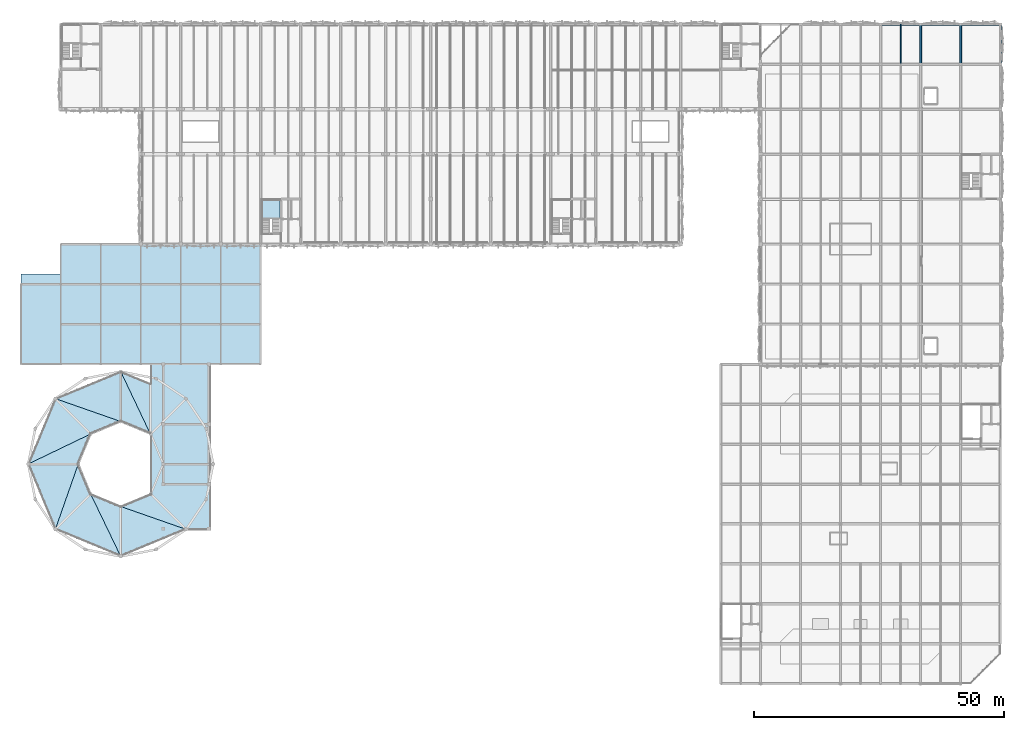
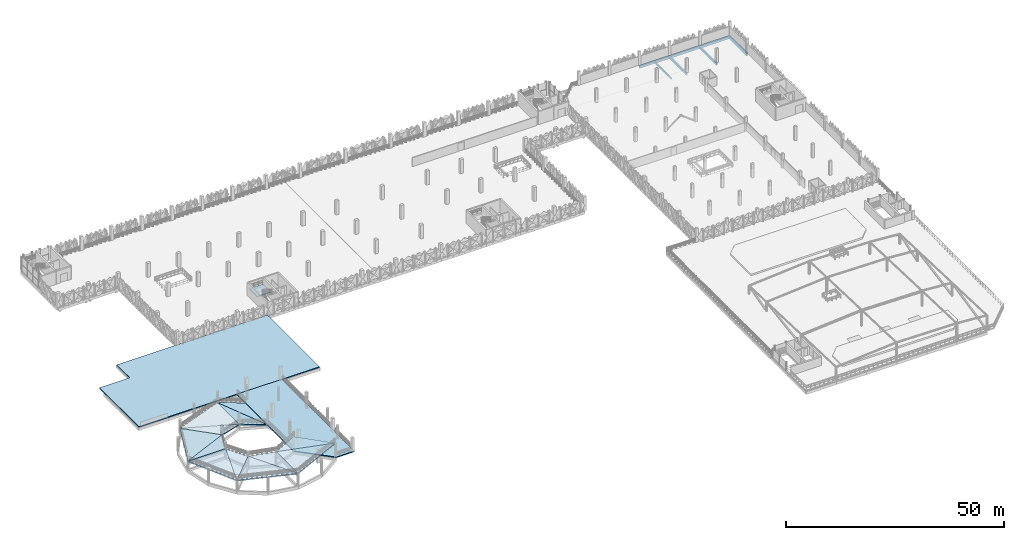
# One storey, part 30 of 76: 15 slabs, 7 beams, 1 element without a shape of its own.
"""IFC4 building model written with IfcOpenShell, lengths in metres."""

import ifcopenshell
import ifcopenshell.guid

model = None  # the IFC model being written
_history = None  # IfcOwnerHistory: only IFC2X3 demands one
_inside = {}  # id of a spatial element -> (the spatial element, [elements in it])
_under = {}  # id of a project, library or spatial element -> (it, [spatial elements below it])
_declared = {}  # id of a project -> (the project, [libraries it declares])
_typed = {}  # id of a type object -> (the type object, [elements of that type])
_made_of = {}  # id of a material, layer set ... -> (it, [elements and type objects made of it])


def new_model(schema):
    """Start an empty IFC model of exactly this schema.

    Asked for "IFC4X3", IfcOpenShell would pick the latest addendum, in which some entities
    have other attributes; the version numbers below select the first issue.
    IFC2X3 requires an IfcOwnerHistory on every rooted entity: one is made here for all.
    """
    global model, _history
    if schema == "IFC4X3":
        model = ifcopenshell.file(schema_version=(4, 3, 0, 0))
    else:
        model = ifcopenshell.file(schema=schema)
    _inside.clear()
    _under.clear()
    _declared.clear()
    _typed.clear()
    _made_of.clear()
    _history = None
    if model.schema == "IFC2X3":
        org = make("IfcOrganization", Name="unknown")
        user = make(
            "IfcPersonAndOrganization",
            ThePerson=make("IfcPerson", FamilyName="unknown"),
            TheOrganization=org,
        )
        app = make(
            "IfcApplication",
            ApplicationDeveloper=org,
            Version="unknown",
            ApplicationFullName="unknown",
            ApplicationIdentifier="unknown",
        )
        _history = make(
            "IfcOwnerHistory",
            OwningUser=user,
            OwningApplication=app,
            ChangeAction="ADDED",
            CreationDate=0,
        )
    return model


def make(cls, **values):
    """One entity of the class cls with the attributes given. An attribute that is None is left unset."""
    return model.create_entity(
        cls, **{name: value for name, value in values.items() if value is not None}
    )


def rooted(cls, **values):
    """An entity with a GlobalId (a new one), such as an element, a storey or a relation."""
    return make(cls, GlobalId=ifcopenshell.guid.new(), OwnerHistory=_history, **values)


def si_unit(unit_type, name, prefix=None):
    """IfcSIUnit, for example si_unit("LENGTHUNIT", "METRE", prefix="MILLI")."""
    return make("IfcSIUnit", UnitType=unit_type, Prefix=prefix, Name=name)


def derived_unit(unit_type, elements):
    """IfcDerivedUnit: a product of units, each with its exponent."""
    return make(
        "IfcDerivedUnit",
        Elements=[
            make("IfcDerivedUnitElement", Unit=unit, Exponent=power)
            for unit, power in elements
        ],
        UnitType=unit_type,
    )


def assignment(units):
    """IfcUnitAssignment: the units of a project."""
    return None if units is None else make("IfcUnitAssignment", Units=units)


def point(xyz):
    """IfcCartesianPoint."""
    return None if xyz is None else make("IfcCartesianPoint", Coordinates=xyz)


def direction(xyz):
    """IfcDirection."""
    return None if xyz is None else make("IfcDirection", DirectionRatios=xyz)


def frame(location, z_axis=None, x_axis=None):
    """IfcAxis2Placement3D, a coordinate frame: its origin and axes. An axis left out is left unset."""
    return make(
        "IfcAxis2Placement3D",
        Location=point(location),
        Axis=direction(z_axis),
        RefDirection=direction(x_axis),
    )


def frame_2d(location, x_axis=None):
    """IfcAxis2Placement2D, a coordinate frame in the plane: its origin and x axis."""
    return make(
        "IfcAxis2Placement2D", Location=point(location), RefDirection=direction(x_axis)
    )


def origin():
    """The frame at (0, 0, 0) with its axes left unset."""
    return frame((0.0, 0.0, 0.0))


def origin_2d():
    """The frame at (0, 0) in the plane with its x axis left unset."""
    return frame_2d((0.0, 0.0))


def place(relative_to, where):
    """IfcLocalPlacement: puts the frame where relative to a parent placement (None: the world)."""
    return make(
        "IfcLocalPlacement", PlacementRelTo=relative_to, RelativePlacement=where
    )


def context(
    kind, dimensions, precision=None, world=None, true_north=None, identifier=None
):
    """IfcGeometricRepresentationContext, for example the 3D "Model" context."""
    return make(
        "IfcGeometricRepresentationContext",
        ContextIdentifier=identifier,
        ContextType=kind,
        CoordinateSpaceDimension=dimensions,
        Precision=precision,
        WorldCoordinateSystem=world,
        TrueNorth=true_north,
    )


def subcontext(parent, identifier, kind, view, scale=None):
    """IfcGeometricRepresentationSubContext, for example "Body" below "Model"."""
    return make(
        "IfcGeometricRepresentationSubContext",
        ContextIdentifier=identifier,
        ContextType=kind,
        ParentContext=parent,
        TargetScale=scale,
        TargetView=view,
    )


def project(units=None, contexts=None):
    """IfcProject with its units and contexts."""
    return rooted(
        "IfcProject",
        Name="project",
        RepresentationContexts=contexts,
        UnitsInContext=assignment(units),
    )


def spatial(cls, under=None, at=None, **own):
    """A site, building, storey or space (cls), placed at a placement, below another one or the project."""
    s = rooted(cls, ObjectPlacement=at, **own)
    if under is not None:
        _under.setdefault(under.id(), (under, []))[1].append(s)
    return s


def polyline(points):
    """IfcPolyline through the points."""
    return make("IfcPolyline", Points=[point(p) for p in points])


def profile(cls, at=None, kind="AREA", **sizes):
    """A parametric profile (cls). Its sizes go by their IFC names, for example OverallWidth=200.0."""
    return make(cls, ProfileType=kind, Position=at, **sizes)


def rectangle(**sizes):
    """IfcRectangleProfileDef."""
    return profile("IfcRectangleProfileDef", **sizes)


def outline(outer, holes=None, kind="AREA"):
    """IfcArbitraryClosedProfileDef: a profile drawn as a closed curve; with holes, ...WithVoids."""
    if holes is None:
        return make("IfcArbitraryClosedProfileDef", ProfileType=kind, OuterCurve=outer)
    return make(
        "IfcArbitraryProfileDefWithVoids",
        ProfileType=kind,
        OuterCurve=outer,
        InnerCurves=holes,
    )


def extrude(swept, where, along, depth):
    """IfcExtrudedAreaSolid: the profile swept, set in the frame where, extruded along a direction by depth."""
    return make(
        "IfcExtrudedAreaSolid",
        SweptArea=swept,
        Position=where,
        ExtrudedDirection=direction(along),
        Depth=depth,
    )


def shape(context_of_items, identifier, shape_type, items):
    """IfcShapeRepresentation: the items that make up one representation, for example the "Body"."""
    return make(
        "IfcShapeRepresentation",
        ContextOfItems=context_of_items,
        RepresentationIdentifier=identifier,
        RepresentationType=shape_type,
        Items=items,
    )


def material(Name=None, Category=None):
    """IfcMaterial."""
    return make("IfcMaterial", Name=Name, Category=Category)


def layer(
    of_material, thickness, ventilated=None, Name=None, Category=None, Priority=None
):
    """IfcMaterialLayer: one layer of a wall or slab, of a material (None: an air gap)."""
    return make(
        "IfcMaterialLayer",
        Material=of_material,
        LayerThickness=thickness,
        IsVentilated=ventilated,
        Name=Name,
        Category=Category,
        Priority=Priority,
    )


def layer_set(layers, Name=None):
    """IfcMaterialLayerSet."""
    return make("IfcMaterialLayerSet", MaterialLayers=layers, LayerSetName=Name)


def material_profile(
    of_material, cross_section, Name=None, Category=None, Priority=None
):
    """IfcMaterialProfile: a cross section and its material."""
    return make(
        "IfcMaterialProfile",
        Name=Name,
        Material=of_material,
        Profile=cross_section,
        Priority=Priority,
        Category=Category,
    )


def profile_set(profiles, Name=None, composite=None):
    """IfcMaterialProfileSet."""
    return make(
        "IfcMaterialProfileSet",
        Name=Name,
        MaterialProfiles=profiles,
        CompositeProfile=composite,
    )


def made_of(thing, what):
    """Note that an element or type object is made of a material, layer set ...; save() writes the relation."""
    if what is not None:
        _made_of.setdefault(what.id(), (what, []))[1].append(thing)
    return thing


def type_object(cls, material=None, **own):
    """A type object (cls), such as IfcWallType, which elements share."""
    return made_of(rooted(cls, **own), material)


def element(
    cls,
    number,
    at=None,
    inside=None,
    cuts=None,
    type_object=None,
    material=None,
    context=None,
    identifier="Body",
    shape_type=None,
    held_by="IfcProductDefinitionShape",
    body=None,
    shapes=None,
    **own,
):
    """One element of the class cls, such as IfcWall. Its Tag is "e" and its number.

    at: its placement. inside: the storey or other place that contains it. cuts: it is an
    opening in that element (IfcRelVoidsElement). A single representation is given by context,
    identifier, shape_type and body (its items); several are given by shapes. held_by: the class
    of the entity that holds the representations. save() writes the other relations.
    """
    e = rooted(cls, Tag="e%d" % number, ObjectPlacement=at, **own)
    if body is not None:
        shapes = [shape(context, identifier, shape_type, body)]
    if shapes is not None:
        e.Representation = make(held_by, Representations=shapes)
    if inside is not None:
        _inside.setdefault(inside.id(), (inside, []))[1].append(e)
    if cuts is not None:
        rooted(
            "IfcRelVoidsElement", RelatingBuildingElement=cuts, RelatedOpeningElement=e
        )
    if type_object is not None:
        _typed.setdefault(type_object.id(), (type_object, []))[1].append(e)
    return made_of(e, material)


def aggregate(whole, parts):
    """IfcRelAggregates: a whole, such as a stair, and the parts it consists of."""
    return rooted("IfcRelAggregates", RelatingObject=whole, RelatedObjects=parts)


def save(model, path):
    """Write the relations noted so far, then the file.

    IfcRelAggregates (storeys below a building ...), IfcRelContainedInSpatialStructure (elements
    in a storey), IfcRelDefinesByType, IfcRelAssociatesMaterial and IfcRelDeclares: one each for
    every whole, place, type object, material and project.
    """
    for whole, parts in _under.values():
        aggregate(whole, parts)
    for where, things in _inside.values():
        rooted(
            "IfcRelContainedInSpatialStructure",
            RelatedElements=things,
            RelatingStructure=where,
        )
    for kind, things in _typed.values():
        rooted("IfcRelDefinesByType", RelatedObjects=things, RelatingType=kind)
    for what, things in _made_of.values():
        rooted("IfcRelAssociatesMaterial", RelatedObjects=things, RelatingMaterial=what)
    for by, libraries in _declared.values():
        rooted("IfcRelDeclares", RelatingContext=by, RelatedDefinitions=libraries)
    model.write(path)


model = new_model("IFC4")

# Units and contexts
model_context = context("Model", 3, precision=1e-05, world=origin(), true_north=direction((0.0, 1.0)))
body_context = subcontext(model_context, "Body", "Model", "MODEL_VIEW")
ifc_project = project(units=[si_unit("LENGTHUNIT", "METRE"), si_unit("AREAUNIT", "SQUARE_METRE"), si_unit("VOLUMEUNIT", "CUBIC_METRE"), si_unit("PLANEANGLEUNIT", "RADIAN"), si_unit("MASSUNIT", "GRAM", prefix="KILO"), si_unit("THERMODYNAMICTEMPERATUREUNIT", "KELVIN"), derived_unit("THERMALTRANSMITTANCEUNIT", [(si_unit("POWERUNIT", "WATT"), 1), (si_unit("AREAUNIT", "SQUARE_METRE"), -1), (si_unit("THERMODYNAMICTEMPERATUREUNIT", "KELVIN"), -1)])], contexts=[model_context])

# Site, building, storey
site_placement = place(None, origin())
site = spatial("IfcSite", under=ifc_project, at=site_placement, CompositionType="ELEMENT")
building_placement = place(site_placement, origin())
building = spatial("IfcBuilding", under=site, at=building_placement, Name="Haiyu Intermodal Mobility Hub", CompositionType="ELEMENT")
storey_placement = place(building_placement, frame((0.0, 0.0, 17.300048828125)))
storey = spatial("IfcBuildingStorey", under=building, at=storey_placement, Name="L04", CompositionType="ELEMENT", Elevation=17.300048828125)

# Beams
ifc_material = material(Name="Concrete C40", Category="concrete")
ifc_material_profile_1 = material_profile(ifc_material, rectangle(XDim=0.39990234375, YDim=0.800048828125, at=origin_2d()), Name="RCB400x800")
ifc_profile_set_1 = profile_set([ifc_material_profile_1], Name="Concrete C40")
beam_type_1 = type_object("IfcBeamType", Name="BM-CB05", PredefinedType="BEAM", material=ifc_profile_set_1)
beam_1_placement = place(storey_placement, frame((210.0, 140.0, -0.66015625), z_axis=(0.0, 1.0, 0.0), x_axis=(-1.0, 0.0, 0.0)))
element("IfcBeam", 1, at=beam_1_placement, inside=storey, type_object=beam_type_1, Name="BM-V6T-L04-056", PredefinedType="BEAM", context=body_context, shape_type="SweptSolid", body=[
    extrude(rectangle(XDim=0.39990234375, YDim=0.800048828125, at=origin_2d()), origin(), (0.0, 0.0, 1.0), 8.0),
])
ifc_material_profile_2 = material_profile(ifc_material, rectangle(XDim=0.3798828125, YDim=0.679931640625, at=origin_2d()), Name="B380x680")
ifc_profile_set_2 = profile_set([ifc_material_profile_2], Name="Concrete C40")
beam_type_2 = type_object("IfcBeamType", Name="BM-CB15-EXT", PredefinedType="BEAM", material=ifc_profile_set_2)
for number, where, z_axis, x_axis, name in (
    (2, (186.0, 148.0, -0.60009765625), (1.0, 0.0, 0.0), (0.0, 1.0, 0.0), "BM-V6G-L04-052"),
    (3, (194.0, 148.0, -0.60009765625), (1.0, 0.0, 0.0), (0.0, 1.0, 0.0), "BM-V6G-L04-053"),
    (4, (202.0, 148.0, -0.60009765625), (1.0, 0.0, 0.0), (0.0, 1.0, 0.0), "BM-V6G-L04-054"),
):
    element("IfcBeam", number, at=place(storey_placement, frame(where, z_axis=z_axis, x_axis=x_axis)), inside=storey, type_object=beam_type_2, Name=name, PredefinedType="BEAM", context=body_context, shape_type="SweptSolid", body=[
        extrude(rectangle(XDim=0.3798828125, YDim=0.679931640625, at=origin_2d()), origin(), (0.0, 0.0, 1.0), 8.0),
    ])
ifc_material_profile_3 = material_profile(ifc_material, rectangle(XDim=0.360107421875, YDim=0.6201171875, at=origin_2d()), Name="B360x620")
ifc_profile_set_3 = profile_set([ifc_material_profile_3], Name="Concrete C40")
beam_type_3 = type_object("IfcBeamType", Name="BM-CB16", PredefinedType="BEAM", material=ifc_profile_set_3)
for number, where, z_axis, x_axis, name in (
    (5, (194.0, 140.0, -0.570068359375), (0.0, 1.0, 0.0), (-1.0, 0.0, 0.0), "BM-V6T-L04-040"),
    (6, (202.0, 140.0, -0.570068359375), (0.0, 1.0, 0.0), (-1.0, 0.0, 0.0), "BM-V6T-L04-048"),
):
    element("IfcBeam", number, at=place(storey_placement, frame(where, z_axis=z_axis, x_axis=x_axis)), inside=storey, type_object=beam_type_3, Name=name, PredefinedType="BEAM", context=body_context, shape_type="SweptSolid", body=[
        extrude(rectangle(XDim=0.360107421875, YDim=0.6201171875, at=origin_2d()), origin(), (0.0, 0.0, 1.0), 8.0),
    ])
ifc_material_profile_4 = material_profile(ifc_material, rectangle(XDim=0.239990234375, YDim=0.43994140625, at=origin_2d()), Name="B240x440")
ifc_profile_set_4 = profile_set([ifc_material_profile_4], Name="Concrete C40")
beam_type_4 = type_object("IfcBeamType", Name="BM-CB19", PredefinedType="JOIST", material=ifc_profile_set_4)
beam_2_placement = place(storey_placement, frame((190.0, 140.175048828125, -0.47998046875), z_axis=(0.0, 1.0, 0.0), x_axis=(-1.0, 0.0, 0.0)))
element("IfcBeam", 7, at=beam_2_placement, inside=storey, type_object=beam_type_4, Name="BM-V6J-L04-030", PredefinedType="JOIST", context=body_context, shape_type="SweptSolid", body=[
    extrude(rectangle(XDim=0.239990234375, YDim=0.43994140625, at=origin_2d()), origin(), (0.0, 0.0, 1.0), 7.824951171875),
])

# Slab
ifc_layer_1 = layer(ifc_material, 0.179931640625)
ifc_layer_set_1 = layer_set([ifc_layer_1], Name="Concrete C40")
slab_type_1 = type_object("IfcSlabType", Name="SLB-SL12", PredefinedType="ROOF", material=ifc_layer_set_1)
slab_1_placement = place(storey_placement, frame((0.0, 0.0, -0.255126953125)))
element("IfcSlab", 8, at=slab_1_placement, inside=storey, type_object=slab_type_1, Name="L04 West Connector Roof Slab", PredefinedType="ROOF", context=body_context, shape_type="SweptSolid", body=[
    extrude(outline(polyline([(14.0, 80.0), (61.9599609375, 80.0), (61.9599609375, 103.97998046875), (22.0, 103.97998046875), (22.0, 98.0), (14.0, 98.0), (14.0, 80.0)])), origin(), (0.0, 0.0, 1.0), 0.255126953125),
])

# Stair, slab
stair_type = type_object("IfcStairType", Name="STR-ST02", PredefinedType="HALF_TURN_STAIR", material=ifc_material)
stair_placement = place(storey_placement, origin())
stair = element("IfcStair", 9, at=stair_placement, inside=storey, type_object=stair_type, Name="Exit Stair ST01 L04", PredefinedType="HALF_TURN_STAIR")
ifc_layer_2 = layer(ifc_material, 0.2099609375)
ifc_layer_set_2 = layer_set([ifc_layer_2], Name="Concrete C40")
slab_type_2 = type_object("IfcSlabType", Name="SLB-SL13", PredefinedType="LANDING", material=ifc_layer_set_2)
slab_2_placement = place(storey_placement, frame((0.0, 0.0, 1.739990234375)))
slab_2 = element("IfcSlab", 10, at=slab_2_placement, type_object=slab_type_2, Name="Stair Half-Landing STR-C5-L04-LND", PredefinedType="LANDING", context=body_context, shape_type="SweptSolid", body=[
    extrude(outline(polyline([(62.219970703125, 109.1298828125), (65.8701171875, 109.1298828125), (65.8701171875, 112.780029296875), (62.219970703125, 112.780029296875), (62.219970703125, 109.1298828125)])), origin(), (0.0, 0.0, 1.0), 0.2099609375),
])
aggregate(stair, [slab_2])

# Slabs
ifc_layer_3 = layer(ifc_material, 0.27001953125)
ifc_layer_set_3 = layer_set([ifc_layer_3], Name="Concrete C40")
slab_type_3 = type_object("IfcSlabType", Name="SLB-SL14", PredefinedType="USERDEFINED", material=ifc_layer_set_3)
slab_3_placement = place(storey_placement, frame((0.0, 0.0, -0.27001953125)))
element("IfcSlab", 11, at=slab_3_placement, inside=storey, type_object=slab_type_3, Name="L04 Helical Ramp Arrival Deck", ObjectType="RAMP DECK", PredefinedType="USERDEFINED", context=body_context, shape_type="SweptSolid", body=[
    extrude(outline(polyline([(39.949951171875, 53.85009765625), (47.14990234375, 46.800048828125), (52.0, 46.800048828125), (52.0, 80.0), (40.0, 80.0), (39.949951171875, 53.85009765625)])), origin(), (0.0, 0.0, 1.0), 0.27001953125),
])
ifc_layer_4 = layer(ifc_material, 0.280029296875)
ifc_layer_set_4 = layer_set([ifc_layer_4], Name="Concrete C40")
slab_type_4 = type_object("IfcSlabType", Name="SLB-SL16", PredefinedType="USERDEFINED", material=ifc_layer_set_4)
slab_4_placement = place(storey_placement, frame((39.89990234375, 66.055908203125, 0.0), z_axis=(0.109492471153, 0.0, 0.993987625054), x_axis=(0.0, 1.0, 0.0)))
element("IfcSlab", 12, at=slab_4_placement, inside=storey, type_object=slab_type_4, Name="Structural Vehicle Ramp Slab L04-01-1", ObjectType="RAMP DECK", PredefinedType="USERDEFINED", context=body_context, shape_type="SweptSolid", body=[
    extrude(outline(polyline([(0.0, 0.0), (10.0, 0.0), (12.444091796875, 5.935589332340849), (0.0, 0.0)])), origin(), (0.0, 0.0, -1.0), 0.280029296875),
])
slab_5_placement = place(storey_placement, frame((39.89990234375, 66.055908203125, 0.0), z_axis=(0.109492471153, 0.0, 0.993987625054), x_axis=(-0.427926345205, 0.902583536434, 0.04713812509)))
element("IfcSlab", 13, at=slab_5_placement, inside=storey, type_object=slab_type_4, Name="Structural Vehicle Ramp Slab L04-01-2", ObjectType="RAMP DECK", PredefinedType="USERDEFINED", context=body_context, shape_type="SweptSolid", body=[
    extrude(outline(polyline([(0.0, 0.0), (13.7871912067415, -2.636779683484747e-16), (4.761355842399681, 4.30514761370578), (0.0, 0.0)])), origin(), (0.0, 0.0, -1.0), 0.280029296875),
])
slab_6_placement = place(storey_placement, frame((34.0, 68.5, 0.64990234375), z_axis=(0.049640107755, 0.0, 0.998767169916), x_axis=(0.0, 1.0, 0.0)))
element("IfcSlab", 14, at=slab_6_placement, inside=storey, type_object=slab_type_4, Name="Structural Vehicle Ramp Slab L04-02-1", ObjectType="RAMP DECK", PredefinedType="USERDEFINED", context=body_context, shape_type="SweptSolid", body=[
    extrude(outline(polyline([(0.0, 0.0), (10.0, 0.0), (4.5810546875, 13.097201311292077), (0.0, 0.0)])), origin(), (0.0, 0.0, -1.0), 0.280029296875),
])
slab_7_placement = place(storey_placement, frame((34.0, 68.5, 0.64990234375), z_axis=(0.076044227368, 0.076044227368, 0.994200458141), x_axis=(-0.942761284695, 0.330159998993, 0.046856537909)))
element("IfcSlab", 15, at=slab_7_placement, inside=storey, type_object=slab_type_4, Name="Structural Vehicle Ramp Slab L04-02-2", ObjectType="RAMP DECK", PredefinedType="USERDEFINED", context=body_context, shape_type="SweptSolid", body=[
    extrude(outline(polyline([(0.0, 0.0), (13.875256546758933, -1.249000902703301e-16), (4.874372967790654, 4.356999813198027), (0.0, 0.0)])), origin(), (0.0, 0.0, -1.0), 0.280029296875),
])
slab_8_placement = place(storey_placement, frame((27.989990234375, 66.010009765625, 1.300048828125), z_axis=(0.035086582514, 0.035086582514, 0.998768173029), x_axis=(-0.707106781187, 0.707106781187, 0.0)))
element("IfcSlab", 16, at=slab_8_placement, inside=storey, type_object=slab_type_4, Name="Structural Vehicle Ramp Slab L04-03-1", ObjectType="RAMP DECK", PredefinedType="USERDEFINED", context=body_context, shape_type="SweptSolid", body=[
    extrude(outline(polyline([(0.0, 0.0), (9.999967628665027, 0.0), (4.582038131409509, 13.097609440520504), (0.0, 0.0)])), origin(), (0.0, 0.0, -1.0), 0.280029296875),
])
slab_9_placement = place(storey_placement, frame((27.989990234375, 66.010009765625, 1.300048828125), z_axis=(0.0, 0.107509895057, 0.994204014508), x_axis=(-0.900116775893, -0.433123686392, 0.046836546012)))
element("IfcSlab", 17, at=slab_9_placement, inside=storey, type_object=slab_type_4, Name="Structural Vehicle Ramp Slab L04-03-2", ObjectType="RAMP DECK", PredefinedType="USERDEFINED", context=body_context, shape_type="SweptSolid", body=[
    extrude(outline(polyline([(0.0, 0.0), (13.87596650666549, 7.077671781985373e-16), (4.874798747738369, 4.356486999366682), (0.0, 0.0)])), origin(), (0.0, 0.0, -1.0), 0.280029296875),
])
slab_10_placement = place(storey_placement, frame((25.5, 60.0, 1.949951171875), z_axis=(0.0, 0.049621512991, 0.998768093928), x_axis=(-1.0, 0.0, 0.0)))
element("IfcSlab", 18, at=slab_10_placement, inside=storey, type_object=slab_type_4, Name="Structural Vehicle Ramp Slab L04-04-1", ObjectType="RAMP DECK", PredefinedType="USERDEFINED", context=body_context, shape_type="SweptSolid", body=[
    extrude(outline(polyline([(0.0, 0.0), (10.0, 0.0), (4.5810546875, 13.097189194395012), (0.0, 0.0)])), origin(), (0.0, 0.0, -1.0), 0.280029296875),
])
slab_11_placement = place(storey_placement, frame((25.5, 60.0, 1.949951171875), z_axis=(-0.076016001595, 0.076016001595, 0.994204775186), x_axis=(-0.330160271145, -0.942762061819, 0.046838981123)))
element("IfcSlab", 19, at=slab_11_placement, inside=storey, type_object=slab_type_4, Name="Structural Vehicle Ramp Slab L04-04-2", ObjectType="RAMP DECK", PredefinedType="USERDEFINED", context=body_context, shape_type="SweptSolid", body=[
    extrude(outline(polyline([(0.0, 0.0), (13.875245109317643, 2.0816681711721685e-16), (4.874354110871246, 4.356984485677573), (0.0, 0.0)])), origin(), (0.0, 0.0, -1.0), 0.280029296875),
])
slab_12_placement = place(storey_placement, frame((27.989990234375, 53.989990234375, 2.599853515625), z_axis=(-0.035099730578, 0.035099730578, 0.998767249076), x_axis=(-0.707106781187, -0.707106781187, 0.0)))
element("IfcSlab", 20, at=slab_12_placement, inside=storey, type_object=slab_type_4, Name="Structural Vehicle Ramp Slab L04-05-1", ObjectType="RAMP DECK", PredefinedType="USERDEFINED", context=body_context, shape_type="SweptSolid", body=[
    extrude(outline(polyline([(0.0, 0.0), (9.999967628665027, 0.0), (4.582038131409509, 13.097621557028786), (0.0, 0.0)])), origin(), (0.0, 0.0, -1.0), 0.280029296875),
])
slab_13_placement = place(storey_placement, frame((27.989990234375, 53.989990234375, 2.599853515625), z_axis=(-0.107549814878, 0.0, 0.994199696902), x_axis=(0.433123329404, -0.900116033999, 0.046854101889)))
element("IfcSlab", 21, at=slab_13_placement, inside=storey, type_object=slab_type_4, Name="Structural Vehicle Ramp Slab L04-05-2", ObjectType="RAMP DECK", PredefinedType="USERDEFINED", context=body_context, shape_type="SweptSolid", body=[
    extrude(outline(polyline([(0.0, 0.0), (13.87597794351216, 8.326672684688674e-17), (4.874817603519826, 4.356502327986193), (0.0, 0.0)])), origin(), (0.0, 0.0, -1.0), 0.280029296875),
])
slab_14_placement = place(storey_placement, frame((34.0, 51.5, 3.25), z_axis=(-0.049621512991, 0.0, 0.998768093928), x_axis=(0.0, -1.0, 0.0)))
element("IfcSlab", 22, at=slab_14_placement, inside=storey, type_object=slab_type_4, Name="Structural Vehicle Ramp Slab L04-06-1", ObjectType="RAMP DECK", PredefinedType="USERDEFINED", context=body_context, shape_type="SweptSolid", body=[
    extrude(outline(polyline([(0.0, 0.0), (10.0, 0.0), (4.5810546875, 13.097189194395012), (0.0, 0.0)])), origin(), (0.0, 0.0, -1.0), 0.280029296875),
])
slab_15_placement = place(storey_placement, frame((34.0, 51.5, 3.25), z_axis=(-0.076016001595, -0.076016001595, 0.994204775186), x_axis=(0.942762061819, -0.330160271145, 0.046838981123)))
element("IfcSlab", 23, at=slab_15_placement, inside=storey, type_object=slab_type_4, Name="Structural Vehicle Ramp Slab L04-06-2", ObjectType="RAMP DECK", PredefinedType="USERDEFINED", context=body_context, shape_type="SweptSolid", body=[
    extrude(outline(polyline([(0.0, 0.0), (13.875245109317643, 2.0816681711721685e-16), (4.874354110871246, 4.356984485677573), (0.0, 0.0)])), origin(), (0.0, 0.0, -1.0), 0.280029296875),
])

save(model, "model.ifc")
